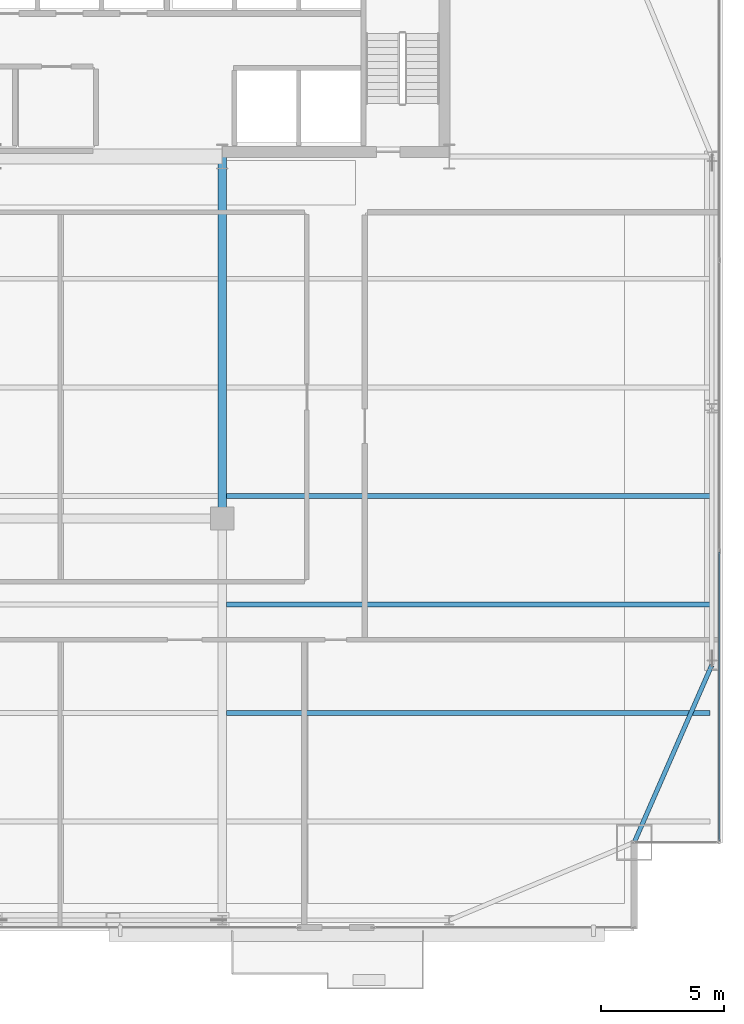
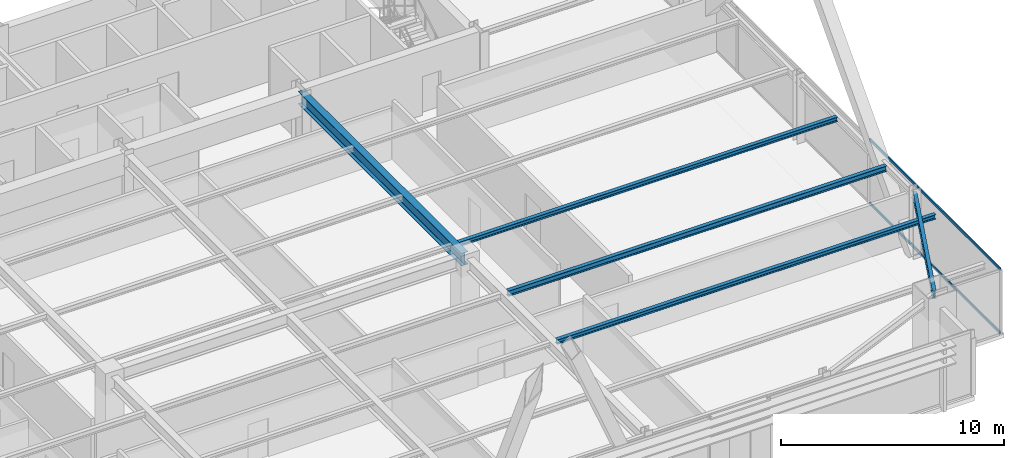
# One storey, part 19 of 38: 5 beams, 2 members, 1 element without a shape of its own.
"""IFC4 building model written with IfcOpenShell, lengths in metres."""

from ifc_helpers import new_model, si_unit, direction, frame, origin, origin_2d, place, context, subcontext, project, spatial, hollow_rectangle, i_section, extrude, source, transform, mapped, material, layer, layer_set, material_profile, profile_set, type_object, type_shapes, element, aggregate, save


model = new_model("IFC4")

# Units and contexts
model_context = context("Model", 3, precision=1e-05, world=origin(), true_north=direction((0.0, 1.0)))
body_context = subcontext(model_context, "Body", "Model", "MODEL_VIEW")
ifc_project = project(units=[si_unit("LENGTHUNIT", "METRE"), si_unit("AREAUNIT", "SQUARE_METRE"), si_unit("VOLUMEUNIT", "CUBIC_METRE"), si_unit("PLANEANGLEUNIT", "RADIAN"), si_unit("MASSUNIT", "GRAM", prefix="KILO")], contexts=[model_context])

# Site, building, storey
site_placement = place(None, origin())
site = spatial("IfcSite", under=ifc_project, at=site_placement, CompositionType="ELEMENT")
building_placement = place(site_placement, origin())
building = spatial("IfcBuilding", under=site, at=building_placement, Name="Varnel Quay Broadcast Tower", CompositionType="ELEMENT")
storey_placement = place(building_placement, frame((0.0, 0.0, 118.199951171875)))
storey = spatial("IfcBuildingStorey", under=building, at=storey_placement, Name="L28", CompositionType="ELEMENT", Elevation=118.199951171875)

# Beams
ifc_material_1 = material(Name="Structural Steel CSA G40.21 350W", Category="steel")
ifc_material_profile_1 = material_profile(ifc_material_1, i_section(OverallWidth=0.180908203125, OverallDepth=0.4169921875, WebThickness=0.010986328125, FlangeThickness=0.018310546875, FilletRadius=0.011962890625, at=origin_2d()), Name="W410X85")
ifc_profile_set_1 = profile_set([ifc_material_profile_1], Name="Structural Steel CSA G40.21 350W")
beam_type_1 = type_object("IfcBeamType", Name="Beam_W410X85", PredefinedType="SPANDREL", material=ifc_profile_set_1)
shared_shape_1 = source(origin(), body_context, "Body", "SweptSolid", [
    extrude(i_section(OverallWidth=0.180908203125, OverallDepth=0.4169921875, WebThickness=0.010986328125, FlangeThickness=0.018310546875, FilletRadius=0.011962890625, at=origin_2d()), origin(), (0.0, 0.0, 1.0), 7.81884765625),
])
type_shapes(beam_type_1, [shared_shape_1])
beam_1_placement = place(storey_placement, frame((59.907958984375, 7.818359375, 3.341552734375), z_axis=(0.400827023998, 0.916153751743, 0.0), x_axis=(-0.916153751743, 0.400827023998, 0.0)))
element("IfcBeam", 1, at=beam_1_placement, inside=storey, type_object=beam_type_1, Name="L28 East Spandrel MC-SE-TC-E1", PredefinedType="SPANDREL", context=body_context, shape_type="MappedRepresentation", body=[
    mapped(shared_shape_1, transform((0.0, 0.0, 0.0), x_axis=(1.0, 0.0, 0.0), y_axis=(0.0, 1.0, 0.0), z_axis=(0.0, 0.0, 1.0), scale=1.0)),
])
ifc_material_profile_2 = material_profile(ifc_material_1, i_section(OverallWidth=0.35498046875, OverallDepth=0.695068359375, WebThickness=0.015380859375, FlangeThickness=0.02490234375, FilletRadius=0.01806640625, at=origin_2d()), Name="W690X217")
ifc_profile_set_2 = profile_set([ifc_material_profile_2], Name="Structural Steel CSA G40.21 350W")
beam_type_2 = type_object("IfcBeamType", Name="Girder_W690X217", PredefinedType="BEAM", material=ifc_profile_set_2)
shared_shape_2 = source(origin(), body_context, "Body", "SweptSolid", [
    extrude(i_section(OverallWidth=0.35498046875, OverallDepth=0.695068359375, WebThickness=0.015380859375, FlangeThickness=0.02490234375, FilletRadius=0.01806640625, at=origin_2d()), origin(), (0.0, 0.0, 1.0), 14.630126953125),
])
type_shapes(beam_type_2, [shared_shape_2])
beam_2_placement = place(storey_placement, frame((43.199951171875, 20.949951171875, 3.20263671875), z_axis=(0.0, 1.0, 0.0), x_axis=(-1.0, 0.0, 0.0)))
element("IfcBeam", 2, at=beam_2_placement, inside=storey, type_object=beam_type_2, Name="L28 Primary Girder IC-02-CC-S4", PredefinedType="BEAM", context=body_context, shape_type="MappedRepresentation", body=[
    mapped(shared_shape_2, transform((0.0, 0.0, 0.0), x_axis=(1.0, 0.0, 0.0), y_axis=(0.0, 1.0, 0.0), z_axis=(0.0, 0.0, 1.0), scale=1.0)),
])
ifc_material_profile_3 = material_profile(ifc_material_1, i_section(OverallWidth=0.202880859375, OverallDepth=0.302978515625, WebThickness=0.007568359375, FlangeThickness=0.01318359375, FilletRadius=0.011962890625, at=origin_2d()), Name="W310X60")
ifc_profile_set_3 = profile_set([ifc_material_profile_3], Name="Structural Steel CSA G40.21 350W")
beam_type_3 = type_object("IfcBeamType", Name="Beam_W310X60", PredefinedType="JOIST", material=ifc_profile_set_3)
shared_shape_3 = source(origin(), body_context, "Body", "SweptSolid", [
    extrude(i_section(OverallWidth=0.202880859375, OverallDepth=0.302978515625, WebThickness=0.007568359375, FlangeThickness=0.01318359375, FilletRadius=0.011962890625, at=origin_2d()), origin(), (0.0, 0.0, 1.0), 19.592041015625),
])
type_shapes(beam_type_3, [shared_shape_3])
beam_3_placement = place(storey_placement, frame((43.37255859375, 17.449951171875, 3.3984375), z_axis=(1.0, 0.0, 0.0), x_axis=(0.0, 1.0, 0.0)))
element("IfcBeam", 3, at=beam_3_placement, inside=storey, type_object=beam_type_3, Name="L28 East Floor Joist 3", PredefinedType="JOIST", context=body_context, shape_type="MappedRepresentation", body=[
    mapped(shared_shape_3, transform((0.0, 0.0, 0.0), x_axis=(1.0, 0.0, 0.0), y_axis=(0.0, 1.0, 0.0), z_axis=(0.0, 0.0, 1.0), scale=1.0)),
])
ifc_material_profile_4 = material_profile(ifc_material_1, i_section(OverallWidth=0.201904296875, OverallDepth=0.2470703125, WebThickness=0.00732421875, FlangeThickness=0.010986328125, FilletRadius=0.010986328125, at=origin_2d()), Name="W250X49")
ifc_profile_set_4 = profile_set([ifc_material_profile_4], Name="Structural Steel CSA G40.21 350W")
beam_type_4 = type_object("IfcBeamType", Name="Beam_W250X49", PredefinedType="JOIST", material=ifc_profile_set_4)
shared_shape_4 = source(origin(), body_context, "Body", "SweptSolid", [
    extrude(i_section(OverallWidth=0.201904296875, OverallDepth=0.2470703125, WebThickness=0.00732421875, FlangeThickness=0.010986328125, FilletRadius=0.010986328125, at=origin_2d()), origin(), (0.0, 0.0, 1.0), 19.592041015625),
])
type_shapes(beam_type_4, [shared_shape_4])
for number, where, z_axis, x_axis, name in (
    (4, (43.37255859375, 13.050048828125, 3.426513671875), (1.0, 0.0, 0.0), (0.0, 1.0, 0.0), "L28 East Floor Joist 2"),
    (5, (43.37255859375, 21.85009765625, 3.426513671875), (1.0, 0.0, 0.0), (0.0, 1.0, 0.0), "L28 East Floor Joist 4"),
):
    element("IfcBeam", number, at=place(storey_placement, frame(where, z_axis=z_axis, x_axis=x_axis)), inside=storey, type_object=beam_type_4, Name=name, PredefinedType="JOIST", context=body_context, shape_type="MappedRepresentation", body=[
        mapped(shared_shape_4, transform((0.0, 0.0, 0.0), x_axis=(1.0, 0.0, 0.0), y_axis=(0.0, 1.0, 0.0), z_axis=(0.0, 0.0, 1.0), scale=1.0)),
    ])

# Curtain wall, members
ifc_material_2 = material(Name="Anodised Bronze Aluminium 6063-T6", Category="aluminium")
ifc_layer = layer(ifc_material_2, 0.18994140625, Name="Anodised Bronze Aluminium 6063-T6")
ifc_layer_set = layer_set([ifc_layer], Name="Anodised Bronze Aluminium 6063-T6")
curtain_wall_type = type_object("IfcCurtainWallType", Name="CW_LowerTower", PredefinedType="NOTDEFINED", material=ifc_layer_set)
curtain_wall_placement = place(storey_placement, origin())
curtain_wall = element("IfcCurtainWall", 6, at=curtain_wall_placement, inside=storey, type_object=curtain_wall_type, Name="L28 East Unitised Curtain Wall", PredefinedType="NOTDEFINED")
ifc_material_profile_5 = material_profile(ifc_material_2, hollow_rectangle(XDim=0.06005859375, YDim=0.14501953125, WallThickness=0.00341796875, at=origin_2d()), Name="ALU60X145X3.5")
ifc_profile_set_5 = profile_set([ifc_material_profile_5], Name="Anodised Bronze Aluminium 6063-T6")
member_type = type_object("IfcMemberType", Name="Tran_CWS-02", PredefinedType="USERDEFINED", material=ifc_profile_set_5)
shared_shape_5 = source(origin(), body_context, "Body", "SweptSolid", [
    extrude(hollow_rectangle(XDim=0.06005859375, YDim=0.14501953125, WallThickness=0.00341796875, at=origin_2d()), origin(), (0.0, 0.0, 1.0), 11.69482421875),
])
type_shapes(member_type, [shared_shape_5])
member_1_placement = place(storey_placement, frame((63.35009765625, 7.8701171875, 0.030029296875), z_axis=(0.0, 1.0, 0.0), x_axis=(-1.0, 0.0, 0.0)))
member_1 = element("IfcMember", 7, at=member_1_placement, type_object=member_type, Name="CWS-02 transom 1.1", ObjectType="TRANSOM", PredefinedType="USERDEFINED", context=body_context, shape_type="MappedRepresentation", body=[
    mapped(shared_shape_5, transform((0.0, 0.0, 0.0), x_axis=(1.0, 0.0, 0.0), y_axis=(0.0, 1.0, 0.0), z_axis=(0.0, 0.0, 1.0), scale=1.0)),
])
member_2_placement = place(storey_placement, frame((63.35009765625, 7.8701171875, 3.52001953125), z_axis=(0.0, 1.0, 0.0), x_axis=(-1.0, 0.0, 0.0)))
member_2 = element("IfcMember", 8, at=member_2_placement, type_object=member_type, Name="CWS-02 transom 1.2", ObjectType="TRANSOM", PredefinedType="USERDEFINED", context=body_context, shape_type="MappedRepresentation", body=[
    mapped(shared_shape_5, transform((0.0, 0.0, 0.0), x_axis=(1.0, 0.0, 0.0), y_axis=(0.0, 1.0, 0.0), z_axis=(0.0, 0.0, 1.0), scale=1.0)),
])
aggregate(curtain_wall, [member_1, member_2])

save(model, "model.ifc")
